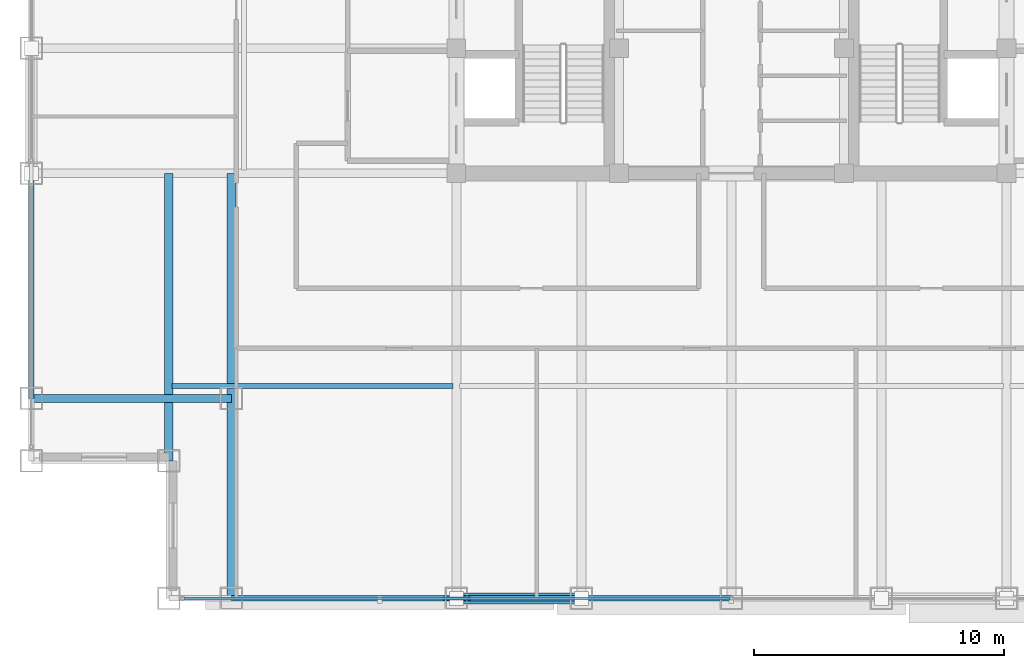
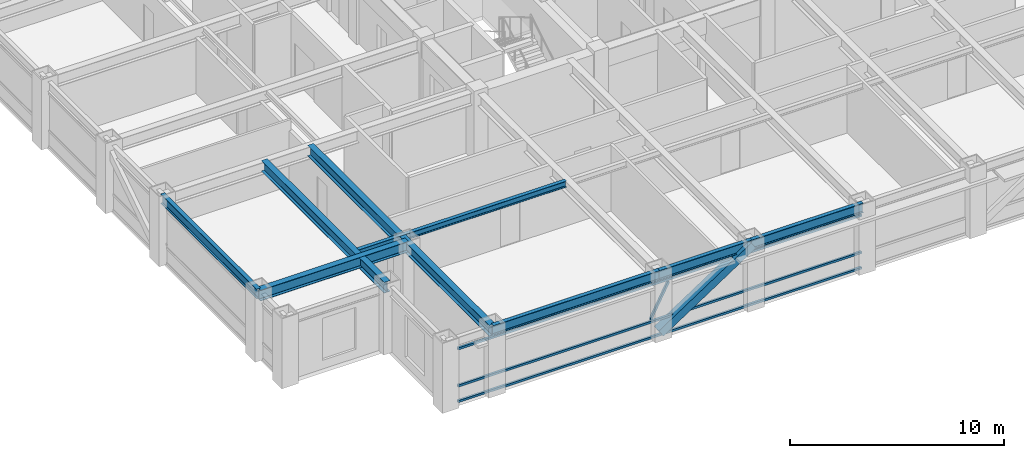
# One storey, part 3 of 27: 8 beams, 5 members, 1 element without a shape of its own.
"""IFC4 building model written with IfcOpenShell, lengths in metres."""

from ifc_helpers import new_model, si_unit, direction, frame, origin, origin_2d, place, context, subcontext, project, spatial, hollow_rectangle, i_section, extrude, source, transform, mapped, material, material_profile, profile_set, type_object, element, aggregate, save


model = new_model("IFC4")

# Units and contexts
model_context = context("Model", 3, precision=1e-05, world=origin(), true_north=direction((0.0, 1.0)))
body_context = subcontext(model_context, "Body", "Model", "MODEL_VIEW")
ifc_project = project(units=[si_unit("LENGTHUNIT", "METRE"), si_unit("AREAUNIT", "SQUARE_METRE"), si_unit("VOLUMEUNIT", "CUBIC_METRE"), si_unit("PLANEANGLEUNIT", "RADIAN"), si_unit("MASSUNIT", "GRAM", prefix="KILO")], contexts=[model_context])

# Site, building, storey
site_placement = place(None, origin())
site = spatial("IfcSite", under=ifc_project, at=site_placement, CompositionType="ELEMENT")
building_placement = place(site_placement, origin())
building = spatial("IfcBuilding", under=site, at=building_placement, Name="Khorayat Bourse Tower", CompositionType="ELEMENT")
storey_placement = place(building_placement, frame((0.0, 0.0, 313.5)))
storey = spatial("IfcBuildingStorey", under=building, at=storey_placement, Name="L74", CompositionType="ELEMENT", Elevation=313.5)

# Beam
ifc_material_1 = material(Name="Steel ASTM A992 Grade 50", Category="steel")
ifc_material_profile_1 = material_profile(ifc_material_1, i_section(OverallWidth=0.324951171875, OverallDepth=0.615966796875, WebThickness=0.013916015625, FlangeThickness=0.021484375, FilletRadius=0.01611328125, at=origin_2d()), Name="W610X174")
ifc_profile_set_1 = profile_set([ifc_material_profile_1], Name="Steel ASTM A992 Grade 50")
beam_type_1 = type_object("IfcBeamType", Name="BM-GIRD-610", PredefinedType="BEAM", material=ifc_profile_set_1)
shared_shape_1 = source(origin(), body_context, "Body", "SweptSolid", [
    extrude(i_section(OverallWidth=0.324951171875, OverallDepth=0.615966796875, WebThickness=0.013916015625, FlangeThickness=0.021484375, FilletRadius=0.01611328125, at=origin_2d()), origin(), (0.0, 0.0, 1.0), 17.0),
])
beam_1_placement = place(storey_placement, frame((-20.0, -28.0, 3.471923828125), z_axis=(0.0, 1.0, 0.0), x_axis=(-1.0, 0.0, 0.0)))
element("IfcBeam", 1, at=beam_1_placement, inside=storey, type_object=beam_type_1, Name="L74 BM-GIRD-610 BM-L74-CNRY-084", PredefinedType="BEAM", context=body_context, shape_type="MappedRepresentation", body=[
    mapped(shared_shape_1, transform((0.0, 0.0, 0.0), scale=1.0)),
])

# Member
ifc_material_2 = material(Name="Steel EN 10025-4 S460M", Category="steel")
ifc_material_profile_2 = material_profile(ifc_material_2, hollow_rectangle(XDim=0.449951171875, YDim=0.449951171875, WallThickness=0.02490234375, at=origin_2d()), Name="HSS 450x450x25")
ifc_profile_set_2 = profile_set([ifc_material_profile_2], Name="Steel EN 10025-4 S460M")
member_type_1 = type_object("IfcMemberType", Name="MBR-TUBE-450", PredefinedType="BRACE", material=ifc_profile_set_2)
shared_shape_2 = source(origin(), body_context, "Body", "SweptSolid", [
    extrude(hollow_rectangle(XDim=0.449951171875, YDim=0.449951171875, WallThickness=0.02490234375, at=origin_2d()), origin(), (0.0, 0.0, 1.0), 5.979736328125),
])
member_1_placement = place(storey_placement, frame((-11.0, -28.0, 0.25), z_axis=(0.836141536525, 0.0, 0.548513747227), x_axis=(0.0, 1.0, 0.0)))
element("IfcMember", 2, at=member_1_placement, inside=storey, type_object=member_type_1, Name="L74 Perimeter Tube Brace 01", PredefinedType="BRACE", context=body_context, shape_type="MappedRepresentation", body=[
    mapped(shared_shape_2, transform((0.0, 0.0, 0.0), scale=1.0)),
])

# Beams
shared_shape_3 = source(origin(), body_context, "Body", "SweptSolid", [
    extrude(i_section(OverallWidth=0.324951171875, OverallDepth=0.615966796875, WebThickness=0.013916015625, FlangeThickness=0.021484375, FilletRadius=0.01611328125, at=origin_2d()), origin(), (0.0, 0.0, 1.0), 11.5),
])
beam_2_placement = place(storey_placement, frame((-22.5, -22.5, 3.471923828125), z_axis=(0.0, 1.0, 0.0), x_axis=(-1.0, 0.0, 0.0)))
element("IfcBeam", 3, at=beam_2_placement, inside=storey, type_object=beam_type_1, Name="L74 BM-GIRD-610 BM-L74-CNRY-088", PredefinedType="BEAM", context=body_context, shape_type="MappedRepresentation", body=[
    mapped(shared_shape_3, transform((0.0, 0.0, 0.0), scale=1.0)),
])
shared_shape_4 = source(origin(), body_context, "Body", "SweptSolid", [
    extrude(i_section(OverallWidth=0.324951171875, OverallDepth=0.615966796875, WebThickness=0.013916015625, FlangeThickness=0.021484375, FilletRadius=0.01611328125, at=origin_2d()), origin(), (0.0, 0.0, 1.0), 8.0),
])
beam_3_placement = place(storey_placement, frame((-28.0, -20.0, 3.471923828125), z_axis=(1.0, 0.0, 0.0), x_axis=(0.0, 1.0, 0.0)))
element("IfcBeam", 4, at=beam_3_placement, inside=storey, type_object=beam_type_1, Name="L74 BM-GIRD-610 BM-L74-CNRX-093", PredefinedType="BEAM", context=body_context, shape_type="MappedRepresentation", body=[
    mapped(shared_shape_4, transform((0.0, 0.0, 0.0), scale=1.0)),
])
ifc_material_profile_3 = material_profile(ifc_material_1, i_section(OverallWidth=0.202880859375, OverallDepth=0.346923828125, WebThickness=0.0078125, FlangeThickness=0.013427734375, FilletRadius=0.010009765625, at=origin_2d()), Name="W360X64")
ifc_profile_set_3 = profile_set([ifc_material_profile_3], Name="Steel ASTM A992 Grade 50")
beam_type_2 = type_object("IfcBeamType", Name="BM-JOIST-360", PredefinedType="JOIST", material=ifc_profile_set_3)
shared_shape_5 = source(origin(), body_context, "Body", "SweptSolid", [
    extrude(i_section(OverallWidth=0.202880859375, OverallDepth=0.346923828125, WebThickness=0.0078125, FlangeThickness=0.013427734375, FilletRadius=0.010009765625, at=origin_2d()), origin(), (0.0, 0.0, 1.0), 11.240234375),
])
beam_4_placement = place(storey_placement, frame((-22.3701171875, -19.5, 3.6064453125), z_axis=(1.0, 0.0, 0.0), x_axis=(0.0, 1.0, 0.0)))
element("IfcBeam", 5, at=beam_4_placement, inside=storey, type_object=beam_type_2, Name="L74 BM-JOIST-360 BM-L74-JSTX-096", PredefinedType="JOIST", context=body_context, shape_type="MappedRepresentation", body=[
    mapped(shared_shape_5, transform((0.0, 0.0, 0.0), scale=1.0)),
])
ifc_material_profile_4 = material_profile(ifc_material_1, i_section(OverallWidth=0.214111328125, OverallDepth=0.549072265625, WebThickness=0.0146484375, FlangeThickness=0.023681640625, FilletRadius=0.013916015625, at=origin_2d()), Name="W530X138")
ifc_profile_set_4 = profile_set([ifc_material_profile_4], Name="Steel ASTM A992 Grade 50")
beam_type_3 = type_object("IfcBeamType", Name="BM-SPAN-530", PredefinedType="SPANDREL", material=ifc_profile_set_4)
shared_shape_6 = source(origin(), body_context, "Body", "SweptSolid", [
    extrude(i_section(OverallWidth=0.214111328125, OverallDepth=0.549072265625, WebThickness=0.0146484375, FlangeThickness=0.023681640625, FilletRadius=0.013916015625, at=origin_2d()), origin(), (0.0, 0.0, 1.0), 9.0),
])
for number, where, z_axis, x_axis, name in (
    (6, (-20.0, -28.0, 3.505615234375), (1.0, 0.0, 0.0), (0.0, 1.0, 0.0), "L74 BM-SPAN-530 BM-L74-SPN-025"),
    (7, (-28.0, -20.0, 3.505615234375), (0.0, 1.0, 0.0), (-1.0, 0.0, 0.0), "L74 BM-SPAN-530 BM-L74-SPN-060"),
):
    element("IfcBeam", number, at=place(storey_placement, frame(where, z_axis=z_axis, x_axis=x_axis)), inside=storey, type_object=beam_type_3, Name=name, PredefinedType="SPANDREL", context=body_context, shape_type="MappedRepresentation", body=[
        mapped(shared_shape_6, transform((0.0, 0.0, 0.0), scale=1.0)),
    ])
shared_shape_7 = source(origin(), body_context, "Body", "SweptSolid", [
    extrude(i_section(OverallWidth=0.214111328125, OverallDepth=0.549072265625, WebThickness=0.0146484375, FlangeThickness=0.023681640625, FilletRadius=0.013916015625, at=origin_2d()), origin(), (0.0, 0.0, 1.0), 5.0),
])
beam_5_placement = place(storey_placement, frame((-11.0, -28.0, 3.505615234375), z_axis=(1.0, 0.0, 0.0), x_axis=(0.0, 1.0, 0.0)))
element("IfcBeam", 8, at=beam_5_placement, inside=storey, type_object=beam_type_3, Name="L74 BM-SPAN-530 BM-L74-SPN-026", PredefinedType="SPANDREL", context=body_context, shape_type="MappedRepresentation", body=[
    mapped(shared_shape_7, transform((0.0, 0.0, 0.0), scale=1.0)),
])
shared_shape_8 = source(origin(), body_context, "Body", "SweptSolid", [
    extrude(i_section(OverallWidth=0.214111328125, OverallDepth=0.549072265625, WebThickness=0.0146484375, FlangeThickness=0.023681640625, FilletRadius=0.013916015625, at=origin_2d()), origin(), (0.0, 0.0, 1.0), 6.0),
])
beam_6_placement = place(storey_placement, frame((-6.0, -28.0, 3.505615234375), z_axis=(1.0, 0.0, 0.0), x_axis=(0.0, 1.0, 0.0)))
element("IfcBeam", 9, at=beam_6_placement, inside=storey, type_object=beam_type_3, Name="L74 BM-SPAN-530 BM-L74-SPN-027", PredefinedType="SPANDREL", context=body_context, shape_type="MappedRepresentation", body=[
    mapped(shared_shape_8, transform((0.0, 0.0, 0.0), scale=1.0)),
])

# Curtain wall, members
ifc_material_3 = material(Name="Aluminium EN AW-6063 T6", Category="aluminium")
curtain_wall_type = type_object("IfcCurtainWallType", Name="CW-SYS-04", PredefinedType="NOTDEFINED", material=ifc_material_3)
curtain_wall_placement = place(storey_placement, origin())
curtain_wall = element("IfcCurtainWall", 10, at=curtain_wall_placement, inside=storey, type_object=curtain_wall_type, Name="L74 Curtain Wall CW-L74-S1", PredefinedType="NOTDEFINED")
ifc_material_profile_5 = material_profile(ifc_material_3, hollow_rectangle(XDim=0.1201171875, YDim=0.1201171875, WallThickness=0.0048828125, at=origin_2d()), Name="ALU 120x120x5")
ifc_profile_set_5 = profile_set([ifc_material_profile_5], Name="Aluminium EN AW-6063 T6")
member_type_2 = type_object("IfcMemberType", Name="CWM-DIAG-120", PredefinedType="MULLION", material=ifc_profile_set_5)
shared_shape_9 = source(origin(), body_context, "Body", "SweptSolid", [
    extrude(hollow_rectangle(XDim=0.1201171875, YDim=0.1201171875, WallThickness=0.0048828125, at=origin_2d()), origin(), (0.0, 0.0, 1.0), 2.0791015625),
])
member_2_placement = place(storey_placement, frame((-11.4541015625, -28.0, 1.090087890625), z_axis=(0.465717394116, 0.0, 0.884933505309), x_axis=(0.0, 1.0, 0.0)))
member_2 = element("IfcMember", 11, at=member_2_placement, type_object=member_type_2, Name="CW-L74-S1 Faceted Diagonal Mullion 1", PredefinedType="MULLION", context=body_context, shape_type="MappedRepresentation", body=[
    mapped(shared_shape_9, transform((0.0, 0.0, 0.0), scale=1.0)),
])
ifc_material_profile_6 = material_profile(ifc_material_3, hollow_rectangle(XDim=0.1201171875, YDim=0.1201171875, WallThickness=0.0048828125, at=origin_2d()), Name="ALU 120x120x5")
ifc_profile_set_6 = profile_set([ifc_material_profile_6], Name="Aluminium EN AW-6063 T6")
member_type_3 = type_object("IfcMemberType", Name="CWT-HORZ-120", PredefinedType="USERDEFINED", material=ifc_profile_set_6)
shared_shape_10 = source(origin(), body_context, "Body", "SweptSolid", [
    extrude(hollow_rectangle(XDim=0.1201171875, YDim=0.1201171875, WallThickness=0.0048828125, at=origin_2d()), origin(), (0.0, 0.0, 1.0), 21.81982421875),
])
member_3_placement = place(storey_placement, frame((-21.8798828125, -28.0, 0.06005859375), z_axis=(1.0, 0.0, 0.0), x_axis=(0.0, 1.0, 0.0)))
member_3 = element("IfcMember", 12, at=member_3_placement, type_object=member_type_3, Name="CW-L74-S1 Horizontal Transom 1-1", ObjectType="TRANSOM", PredefinedType="USERDEFINED", context=body_context, shape_type="MappedRepresentation", body=[
    mapped(shared_shape_10, transform((0.0, 0.0, 0.0), scale=1.0)),
])
member_4_placement = place(storey_placement, frame((-21.8798828125, -28.0, 0.949951171875), z_axis=(1.0, 0.0, 0.0), x_axis=(0.0, 1.0, 0.0)))
member_4 = element("IfcMember", 13, at=member_4_placement, type_object=member_type_3, Name="CW-L74-S1 Horizontal Transom 1-2", ObjectType="TRANSOM", PredefinedType="USERDEFINED", context=body_context, shape_type="MappedRepresentation", body=[
    mapped(shared_shape_10, transform((0.0, 0.0, 0.0), scale=1.0)),
])
member_5_placement = place(storey_placement, frame((-21.8798828125, -28.0, 3.070068359375), z_axis=(1.0, 0.0, 0.0), x_axis=(0.0, 1.0, 0.0)))
member_5 = element("IfcMember", 14, at=member_5_placement, type_object=member_type_3, Name="CW-L74-S1 Horizontal Transom 1-3", ObjectType="TRANSOM", PredefinedType="USERDEFINED", context=body_context, shape_type="MappedRepresentation", body=[
    mapped(shared_shape_10, transform((0.0, 0.0, 0.0), scale=1.0)),
])
aggregate(curtain_wall, [member_3, member_4, member_5, member_2])

save(model, "model.ifc")
